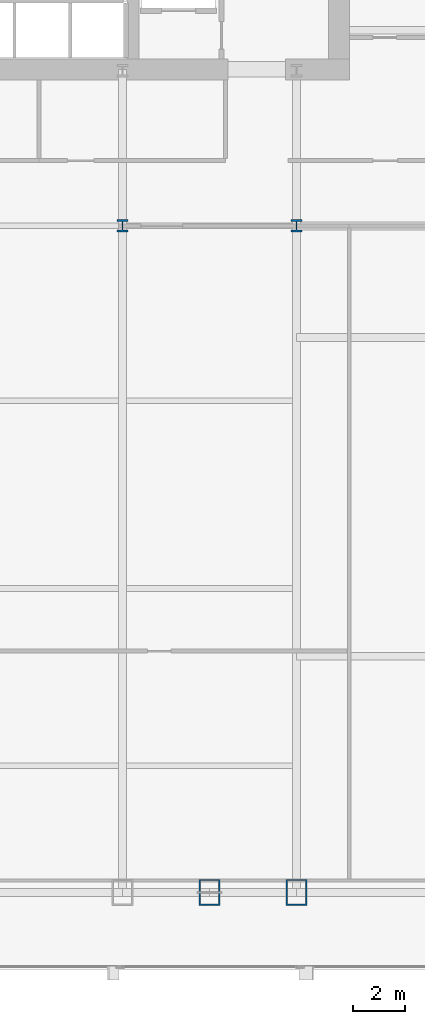
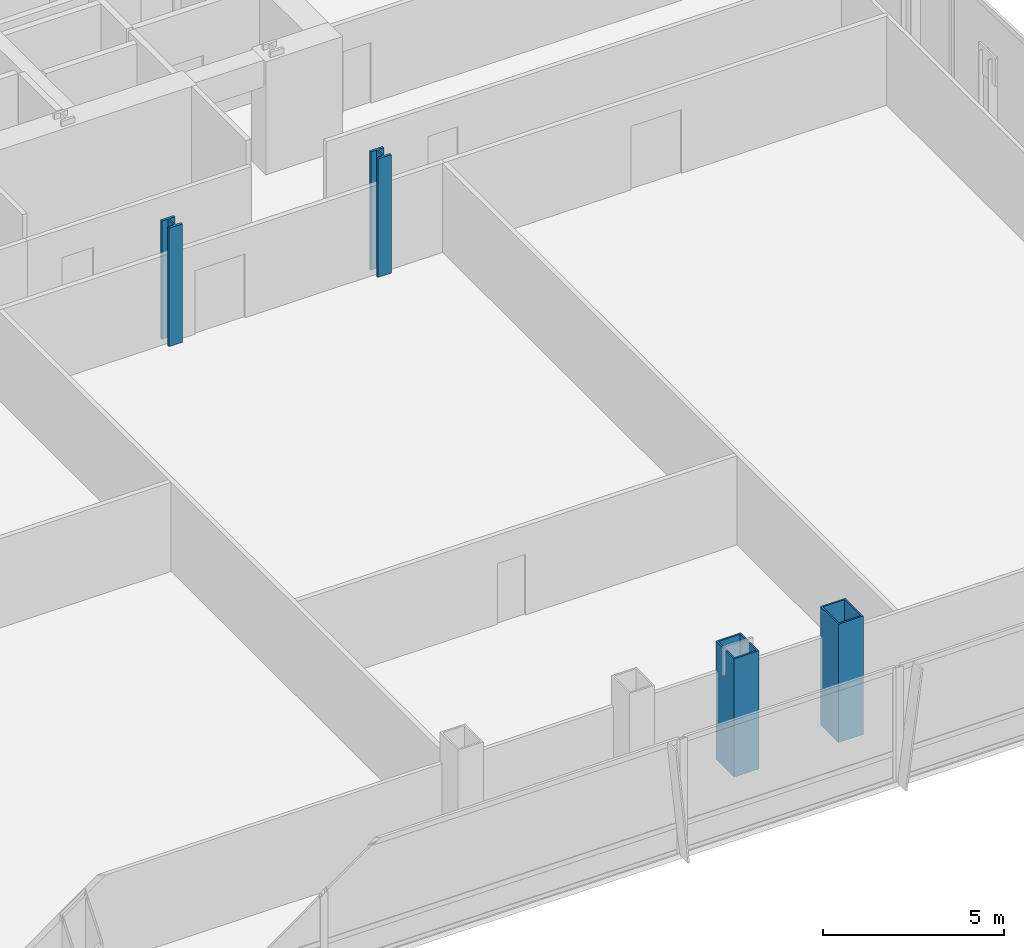
# One storey, part 2 of 33: 4 columns.
"""IFC4 building model written with IfcOpenShell, lengths in metres."""

from ifc_helpers import new_model, si_unit, direction, frame, origin, origin_2d, place, context, subcontext, project, spatial, hollow_rectangle, i_section, extrude, material, material_profile, profile_set, type_object, element, save


model = new_model("IFC4")

# Units and contexts
model_context = context("Model", 3, precision=1e-05, world=origin(), true_north=direction((0.0, 1.0)))
body_context = subcontext(model_context, "Body", "Model", "MODEL_VIEW")
ifc_project = project(units=[si_unit("LENGTHUNIT", "METRE"), si_unit("AREAUNIT", "SQUARE_METRE"), si_unit("VOLUMEUNIT", "CUBIC_METRE"), si_unit("PLANEANGLEUNIT", "RADIAN"), si_unit("MASSUNIT", "GRAM", prefix="KILO")], contexts=[model_context])

# Site, building, storey
site_placement = place(None, origin())
site = spatial("IfcSite", under=ifc_project, at=site_placement, CompositionType="ELEMENT")
building_placement = place(site_placement, origin())
building = spatial("IfcBuilding", under=site, at=building_placement, Name="Khoronbel Lancet Exchange", CompositionType="ELEMENT")
storey_placement = place(building_placement, frame((0.0, 0.0, 33.800048828125)))
storey = spatial("IfcBuildingStorey", under=building, at=storey_placement, Name="L07", CompositionType="ELEMENT", Elevation=33.800048828125)

# Columns
ifc_material = material(Name="Steel S460", Category="steel")
ifc_material_profile_1 = material_profile(ifc_material, hollow_rectangle(XDim=0.800048828125, YDim=1.0, WallThickness=0.054931640625, at=origin_2d()), Name="BOX 1000x800x55")
ifc_profile_set_1 = profile_set([ifc_material_profile_1], Name="Steel S460")
column_type_1 = type_object("IfcColumnType", Name="COL-EC1", PredefinedType="COLUMN", material=ifc_profile_set_1)
for number, where, z_axis, x_axis, name in (
    (1, (51.33740234375, 10.14990234375, 0.0), (0.0, 0.0, 1.0), (1.0, 0.0, 0.0), "Structural column SC-EM L07"),
    (2, (54.675048828125, 10.14990234375, 0.0), (0.0, 0.0, 1.0), (1.0, 0.0, 0.0), "Structural column SC-E2 L07"),
):
    element("IfcColumn", number, at=place(storey_placement, frame(where, z_axis=z_axis, x_axis=x_axis)), inside=storey, type_object=column_type_1, Name=name, PredefinedType="COLUMN", context=body_context, shape_type="SweptSolid", body=[
        extrude(hollow_rectangle(XDim=0.800048828125, YDim=1.0, WallThickness=0.054931640625, at=origin_2d()), origin(), (0.0, 0.0, 1.0), 4.0),
    ])
ifc_material_profile_2 = material_profile(ifc_material, i_section(OverallWidth=0.424072265625, OverallDepth=0.47412109375, WebThickness=0.047607421875, FlangeThickness=0.076904296875, at=origin_2d()), Name="HD 400x634")
ifc_profile_set_2 = profile_set([ifc_material_profile_2], Name="Steel S460")
column_type_2 = type_object("IfcColumnType", Name="COL-IC1", PredefinedType="COLUMN", material=ifc_profile_set_2)
for number, where, z_axis, x_axis, name in (
    (3, (48.0, 35.699951171875, 0.0), (0.0, 0.0, 1.0), (1.0, 0.0, 0.0), "Spine gravity column TC3 L07"),
    (4, (54.675048828125, 35.699951171875, 0.0), (0.0, 0.0, 1.0), (1.0, 0.0, 0.0), "Spine gravity column TC4 L07"),
):
    element("IfcColumn", number, at=place(storey_placement, frame(where, z_axis=z_axis, x_axis=x_axis)), inside=storey, type_object=column_type_2, Name=name, PredefinedType="COLUMN", context=body_context, shape_type="SweptSolid", body=[
        extrude(i_section(OverallWidth=0.424072265625, OverallDepth=0.47412109375, WebThickness=0.047607421875, FlangeThickness=0.076904296875, at=origin_2d()), origin(), (0.0, 0.0, 1.0), 4.0),
    ])

save(model, "model.ifc")
